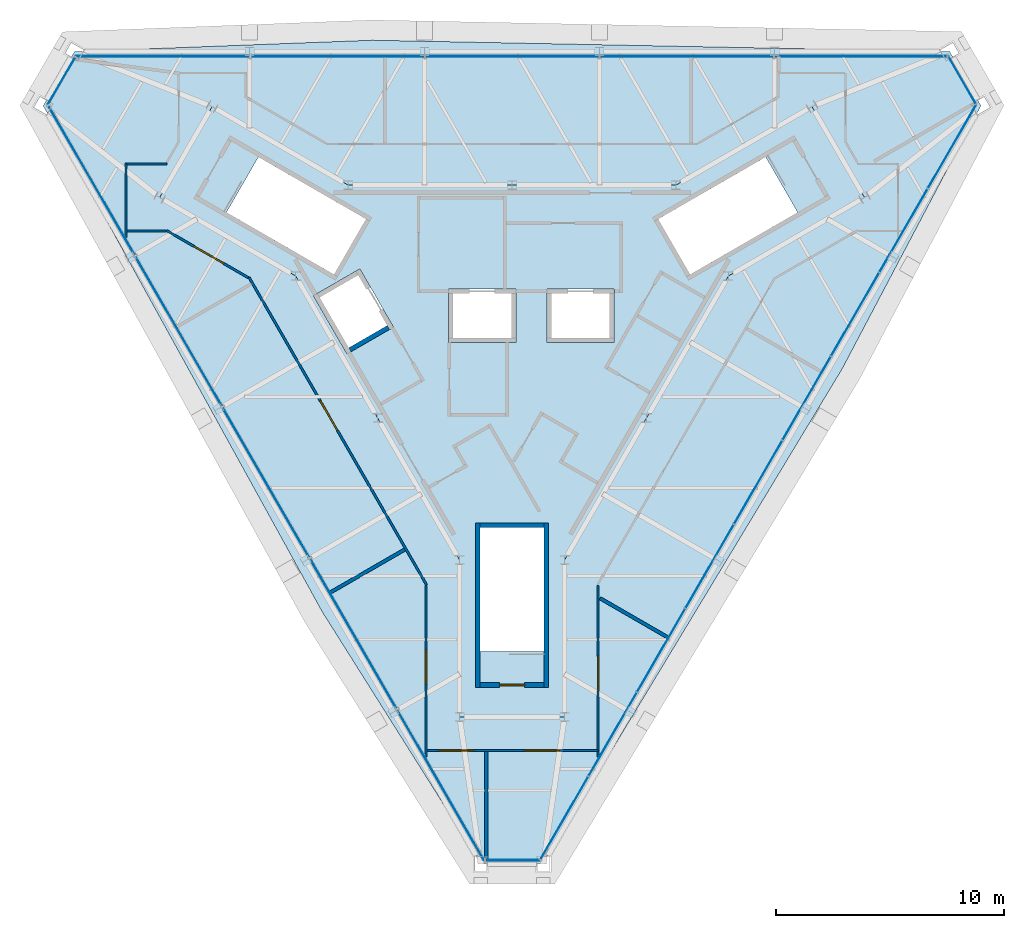
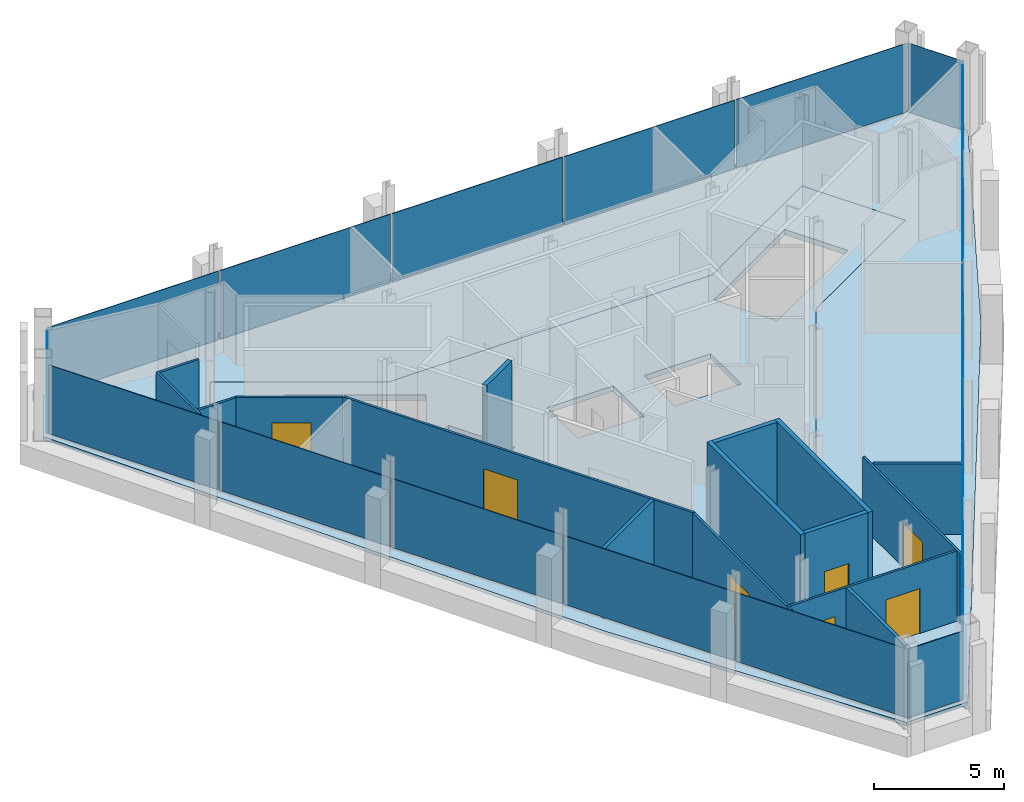
# One storey, part 8 of 11: 22 plates, 16 walls, 7 doors, 2 slabs, 7 openings, 6 elements without a shape of their own.
"""IFC4 building model written with IfcOpenShell, lengths in metres."""

from ifc_helpers import new_model, si_unit, direction, frame, frame_2d, origin, origin_2d, place, context, subcontext, project, spatial, polyline, rectangle, outline, extrude, material, layer, layer_set, type_object, element, fill, aggregate, save


model = new_model("IFC4")

# Units and contexts
model_context = context("Model", 3, precision=1e-05, world=origin(), true_north=direction((0.0, 1.0)))
body_context = subcontext(model_context, "Body", "Model", "MODEL_VIEW")
ifc_project = project(units=[si_unit("LENGTHUNIT", "METRE"), si_unit("AREAUNIT", "SQUARE_METRE"), si_unit("VOLUMEUNIT", "CUBIC_METRE"), si_unit("PLANEANGLEUNIT", "RADIAN"), si_unit("MASSUNIT", "GRAM", prefix="KILO")], contexts=[model_context])

# Site, building, storey
site_placement = place(None, origin())
site = spatial("IfcSite", under=ifc_project, at=site_placement, CompositionType="ELEMENT")
building_placement = place(site_placement, origin())
building = spatial("IfcBuilding", under=site, at=building_placement, Name="Verrane Prism Tower", CompositionType="ELEMENT")
storey_placement = place(building_placement, frame((0.0, 0.0, 329.39990234375)))
storey = spatial("IfcBuildingStorey", under=building, at=storey_placement, Name="L83", CompositionType="ELEMENT", Elevation=329.39990234375)

# Slabs
ifc_material_1 = material(Name="Concrete C35/45", Category="concrete")
ifc_layer_1 = layer(ifc_material_1, 0.159912109375)
ifc_layer_set_1 = layer_set([ifc_layer_1], Name="Composite floor slab")
slab_type_1 = type_object("IfcSlabType", Name="Composite floor slab", PredefinedType="FLOOR", material=ifc_layer_set_1)
slab_1_placement = place(storey_placement, frame((0.0, 0.0, -0.159912109375)))
element("IfcSlab", 1, at=slab_1_placement, inside=storey, type_object=slab_type_1, Name="Floor slab L83", PredefinedType="FLOOR", context=body_context, shape_type="SweptSolid", body=[
    extrude(outline(polyline([(14.455810546875, -1.26171875), (1.368896484375, -22.9287109375), (-1.368896484375, -22.9287109375), (-8.320556640625, -11.88818359375), (-20.54150390625, 10.27880859375), (-19.17236328125, 12.64990234375), (-6.13525390625, 13.14990234375), (19.17236328125, 12.64990234375), (20.54150390625, 10.27880859375), (14.455810546875, -1.26171875)]), holes=[polyline([(15.43994140625, 6.260009765625), (13.139892578125, 10.239990234375), (7.179931640625, 6.800048828125), (0.0, 6.800048828125), (-7.179931640625, 6.800048828125), (-13.139892578125, 10.239990234375), (-15.43994140625, 6.260009765625), (-9.47998046875, 2.820068359375), (-5.889892578125, -3.39990234375), (-2.300048828125, -9.6201171875), (-2.300048828125, -16.5), (2.300048828125, -16.5), (2.300048828125, -9.6201171875), (5.889892578125, -3.39990234375), (9.47998046875, 2.820068359375), (15.43994140625, 6.260009765625)])]), origin(), (0.0, 0.0, 1.0), 0.159912109375),
])
ifc_material_2 = material(Name="Concrete C40/50", Category="concrete")
ifc_layer_2 = layer(ifc_material_2, 0.25)
ifc_layer_set_2 = layer_set([ifc_layer_2], Name="Core floor slab 250 concrete C40/50")
slab_type_2 = type_object("IfcSlabType", Name="Core floor slab 250 concrete C40/50", PredefinedType="FLOOR", material=ifc_layer_set_2)
slab_2_placement = place(storey_placement, frame((0.0, 0.0, -0.25)))
element("IfcSlab", 2, at=slab_2_placement, inside=storey, type_object=slab_type_2, Name="Core floor L83", PredefinedType="FLOOR", context=body_context, shape_type="SweptSolid", body=[
    extrude(outline(polyline([(9.47998046875, 2.820068359375), (15.43994140625, 6.260009765625), (13.139892578125, 10.239990234375), (7.179931640625, 6.800048828125), (0.0, 6.800048828125), (-7.179931640625, 6.800048828125), (-13.139892578125, 10.239990234375), (-15.43994140625, 6.260009765625), (-9.47998046875, 2.820068359375), (-5.889892578125, -3.39990234375), (-2.300048828125, -9.6201171875), (-2.300048828125, -16.5), (2.300048828125, -16.5), (2.300048828125, -9.6201171875), (5.889892578125, -3.39990234375), (9.47998046875, 2.820068359375)]), holes=[polyline([(-1.39990234375, -13.639892578125), (-1.39990234375, -8.199951171875), (1.39990234375, -8.199951171875), (1.39990234375, -13.639892578125), (-1.39990234375, -13.639892578125)]), polyline([(0.1650390625, 2.25), (0.1650390625, -0.10009765625), (-2.784912109375, -0.10009765625), (-2.784912109375, 2.25), (0.1650390625, 2.25)]), polyline([(4.47509765625, 2.25), (4.47509765625, -0.10009765625), (1.52490234375, -0.10009765625), (1.52490234375, 2.25), (4.47509765625, 2.25)]), polyline([(-8.7041015625, 1.955078125), (-6.66796875, 3.1298828125), (-5.193115234375, 0.574951171875), (-7.22900390625, -0.60009765625), (-8.7041015625, 1.955078125)]), polyline([(-6.40087890625, 5.31201171875), (-7.801025390625, 2.887939453125), (-12.512939453125, 5.60791015625), (-11.113037109375, 8.031982421875), (-6.40087890625, 5.31201171875)]), polyline([(7.801025390625, 2.887939453125), (6.40087890625, 5.31201171875), (11.113037109375, 8.031982421875), (12.512939453125, 5.60791015625), (7.801025390625, 2.887939453125)])]), origin(), (0.0, 0.0, 1.0), 0.25),
])

# Curtain wall, plate
ifc_material_3 = material(Name="Aluminium framed insulated glazing", Category="aluminium")
curtain_wall_type_1 = type_object("IfcCurtainWallType", Name="Curtain wall CW-C 4200 module", PredefinedType="NOTDEFINED", material=ifc_material_3)
curtain_wall_1_placement = place(storey_placement, origin())
curtain_wall_1 = element("IfcCurtainWall", 3, at=curtain_wall_1_placement, inside=storey, type_object=curtain_wall_type_1, Name="Glazed curtain wall north-east corner L83", PredefinedType="NOTDEFINED")
ifc_material_4 = material(Name="Low-iron insulating glass unit", Category="glass")
ifc_layer_3 = layer(ifc_material_4, 0.02392578125)
ifc_layer_set_3 = layer_set([ifc_layer_3], Name="Glazing panel IGU 24")
plate_type_1 = type_object("IfcPlateType", Name="Glazing panel IGU 24", PredefinedType="CURTAIN_PANEL", material=ifc_layer_set_3)
plate_1_placement = place(storey_placement, frame((19.712890625, 11.41015625, 0.050048828125), z_axis=(0.0, 0.0, 1.0), x_axis=(-0.500000941634, 0.866024860131, 0.0)))
plate_1 = element("IfcPlate", 4, at=plate_1_placement, type_object=plate_type_1, Name="CW83.1 panel 1", PredefinedType="CURTAIN_PANEL", context=body_context, shape_type="SweptSolid", body=[
    extrude(rectangle(XDim=2.395263671875, YDim=0.02392578125, at=origin_2d()), origin(), (0.0, 0.0, 1.0), 3.24658203125),
])
aggregate(curtain_wall_1, [plate_1])

# Curtain wall, plates
curtain_wall_2_placement = place(storey_placement, origin())
curtain_wall_2 = element("IfcCurtainWall", 5, at=curtain_wall_2_placement, inside=storey, type_object=curtain_wall_type_1, Name="Glazed curtain wall south-east face L83", PredefinedType="NOTDEFINED")
plate_2_placement = place(storey_placement, frame((2.290771484375, -20.9267578125, 0.050048828125), z_axis=(0.0, 0.0, 1.0), x_axis=(0.500000216749, 0.866025278644, 0.0)))
plate_2 = element("IfcPlate", 6, at=plate_2_placement, type_object=plate_type_1, Name="CW83.6 panel 1", PredefinedType="CURTAIN_PANEL", context=body_context, shape_type="SweptSolid", body=[
    extrude(rectangle(XDim=4.172607421875, YDim=0.02392578125, at=origin_2d()), origin(), (0.0, 0.0, 1.0), 3.24658203125),
])
plate_3_placement = place(storey_placement, frame((4.408203125, -17.259033203125, 0.050048828125), z_axis=(0.0, 0.0, 1.0), x_axis=(0.500000216749, 0.866025278644, 0.0)))
plate_3 = element("IfcPlate", 7, at=plate_3_placement, type_object=plate_type_1, Name="CW83.6 panel 2", PredefinedType="CURTAIN_PANEL", context=body_context, shape_type="SweptSolid", body=[
    extrude(rectangle(XDim=4.197509765625, YDim=0.02392578125, at=origin_2d()), origin(), (0.0, 0.0, 1.0), 3.24658203125),
])
plate_4_placement = place(storey_placement, frame((6.531982421875, -13.58056640625, 0.050048828125), z_axis=(0.0, 0.0, 1.0), x_axis=(0.500000216749, 0.866025278644, 0.0)))
plate_4 = element("IfcPlate", 8, at=plate_4_placement, type_object=plate_type_1, Name="CW83.6 panel 3", PredefinedType="CURTAIN_PANEL", context=body_context, shape_type="SweptSolid", body=[
    extrude(rectangle(XDim=4.197509765625, YDim=0.02392578125, at=origin_2d()), origin(), (0.0, 0.0, 1.0), 3.24658203125),
])
plate_5_placement = place(storey_placement, frame((8.65576171875, -9.902099609375, 0.050048828125), z_axis=(0.0, 0.0, 1.0), x_axis=(0.500000216749, 0.866025278644, 0.0)))
plate_5 = element("IfcPlate", 9, at=plate_5_placement, type_object=plate_type_1, Name="CW83.6 panel 4", PredefinedType="CURTAIN_PANEL", context=body_context, shape_type="SweptSolid", body=[
    extrude(rectangle(XDim=4.197509765625, YDim=0.02392578125, at=origin_2d()), origin(), (0.0, 0.0, 1.0), 3.24658203125),
])
plate_6_placement = place(storey_placement, frame((10.779541015625, -6.2236328125, 0.050048828125), z_axis=(0.0, 0.0, 1.0), x_axis=(0.500000216749, 0.866025278644, 0.0)))
plate_6 = element("IfcPlate", 10, at=plate_6_placement, type_object=plate_type_1, Name="CW83.6 panel 5", PredefinedType="CURTAIN_PANEL", context=body_context, shape_type="SweptSolid", body=[
    extrude(rectangle(XDim=4.197509765625, YDim=0.02392578125, at=origin_2d()), origin(), (0.0, 0.0, 1.0), 3.24658203125),
])
plate_7_placement = place(storey_placement, frame((12.9033203125, -2.545166015625, 0.050048828125), z_axis=(0.0, 0.0, 1.0), x_axis=(0.500000216749, 0.866025278644, 0.0)))
plate_7 = element("IfcPlate", 11, at=plate_7_placement, type_object=plate_type_1, Name="CW83.6 panel 6", PredefinedType="CURTAIN_PANEL", context=body_context, shape_type="SweptSolid", body=[
    extrude(rectangle(XDim=4.197509765625, YDim=0.02392578125, at=origin_2d()), origin(), (0.0, 0.0, 1.0), 3.24658203125),
])
plate_8_placement = place(storey_placement, frame((15.027099609375, 1.13330078125, 0.050048828125), z_axis=(0.0, 0.0, 1.0), x_axis=(0.500000216749, 0.866025278644, 0.0)))
plate_8 = element("IfcPlate", 12, at=plate_8_placement, type_object=plate_type_1, Name="CW83.6 panel 7", PredefinedType="CURTAIN_PANEL", context=body_context, shape_type="SweptSolid", body=[
    extrude(rectangle(XDim=4.197509765625, YDim=0.02392578125, at=origin_2d()), origin(), (0.0, 0.0, 1.0), 3.24658203125),
])
plate_9_placement = place(storey_placement, frame((17.15087890625, 4.811767578125, 0.050048828125), z_axis=(0.0, 0.0, 1.0), x_axis=(0.500000216749, 0.866025278644, 0.0)))
plate_9 = element("IfcPlate", 13, at=plate_9_placement, type_object=plate_type_1, Name="CW83.6 panel 8", PredefinedType="CURTAIN_PANEL", context=body_context, shape_type="SweptSolid", body=[
    extrude(rectangle(XDim=4.197509765625, YDim=0.02392578125, at=origin_2d()), origin(), (0.0, 0.0, 1.0), 3.24658203125),
])
plate_10_placement = place(storey_placement, frame((19.281005859375, 8.501220703125, 0.050048828125), z_axis=(0.0, 0.0, 1.0), x_axis=(0.500000216749, 0.866025278644, 0.0)))
plate_10 = element("IfcPlate", 14, at=plate_10_placement, type_object=plate_type_1, Name="CW83.6 panel 9", PredefinedType="CURTAIN_PANEL", context=body_context, shape_type="SweptSolid", body=[
    extrude(rectangle(XDim=4.22265625, YDim=0.02392578125, at=origin_2d()), origin(), (0.0, 0.0, 1.0), 3.24658203125),
])
aggregate(curtain_wall_2, [plate_2, plate_3, plate_4, plate_5, plate_6, plate_7, plate_8, plate_9, plate_10])

# Curtain wall, plate
ifc_material_5 = material(Name="Aluminium framed insulated glazing", Category="aluminium")
curtain_wall_type_2 = type_object("IfcCurtainWallType", Name="Curtain wall CW-B 5600 module", PredefinedType="NOTDEFINED", material=ifc_material_5)
curtain_wall_3_placement = place(storey_placement, origin())
curtain_wall_3 = element("IfcCurtainWall", 15, at=curtain_wall_3_placement, inside=storey, type_object=curtain_wall_type_2, Name="Glazed curtain wall north-west corner L83", PredefinedType="NOTDEFINED")
ifc_material_6 = material(Name="Low-iron insulating glass unit", Category="glass")
ifc_layer_4 = layer(ifc_material_6, 0.028076171875)
ifc_layer_set_4 = layer_set([ifc_layer_4], Name="Glazing panel IGU 28")
plate_type_2 = type_object("IfcPlateType", Name="Glazing panel IGU 28", PredefinedType="CURTAIN_PANEL", material=ifc_layer_set_4)
plate_11_placement = place(storey_placement, frame((-19.740234375, 11.3623046875, 0.06005859375), z_axis=(0.0, 0.0, 1.0), x_axis=(-0.500000941634, -0.866024860131, 0.0)))
plate_11 = element("IfcPlate", 16, at=plate_11_placement, type_object=plate_type_2, Name="CW83.3 panel 1", PredefinedType="CURTAIN_PANEL", context=body_context, shape_type="SweptSolid", body=[
    extrude(rectangle(XDim=2.38525390625, YDim=0.028076171875, at=origin_2d()), origin(), (0.0, 0.0, 1.0), 3.23681640625),
])
aggregate(curtain_wall_3, [plate_11])

# Curtain wall, plates
ifc_material_7 = material(Name="Aluminium framed insulated glazing", Category="aluminium")
curtain_wall_type_3 = type_object("IfcCurtainWallType", Name="Curtain wall CW-A 8400 module", PredefinedType="NOTDEFINED", material=ifc_material_7)
curtain_wall_4_placement = place(storey_placement, origin())
curtain_wall_4 = element("IfcCurtainWall", 17, at=curtain_wall_4_placement, inside=storey, type_object=curtain_wall_type_3, Name="Glazed curtain wall north face L83", PredefinedType="NOTDEFINED")
ifc_material_8 = material(Name="Low-iron insulating glass unit", Category="glass")
ifc_layer_5 = layer(ifc_material_8, 0.031982421875)
ifc_layer_set_5 = layer_set([ifc_layer_5], Name="Glazing panel IGU 32")
plate_type_3 = type_object("IfcPlateType", Name="Glazing panel IGU 32", PredefinedType="CURTAIN_PANEL", material=ifc_layer_set_5)
plate_12_placement = place(storey_placement, frame((15.273681640625, 12.447265625, 0.06982421875), z_axis=(0.0, 0.0, 1.0), x_axis=(-1.0, 0.0, 0.0)))
plate_12 = element("IfcPlate", 18, at=plate_12_placement, type_object=plate_type_3, Name="CW83.2 panel 1", PredefinedType="CURTAIN_PANEL", context=body_context, shape_type="SweptSolid", body=[
    extrude(rectangle(XDim=7.54052734375, YDim=0.031982421875, at=origin_2d()), origin(), (0.0, 0.0, 1.0), 3.226806640625),
])
plate_13_placement = place(storey_placement, frame((7.6455078125, 12.447265625, 0.06982421875), z_axis=(0.0, 0.0, 1.0), x_axis=(-1.0, 0.0, 0.0)))
plate_13 = element("IfcPlate", 19, at=plate_13_placement, type_object=plate_type_3, Name="CW83.2 panel 2", PredefinedType="CURTAIN_PANEL", context=body_context, shape_type="SweptSolid", body=[
    extrude(rectangle(XDim=7.57568359375, YDim=0.031982421875, at=origin_2d()), origin(), (0.0, 0.0, 1.0), 3.226806640625),
])
plate_14_placement = place(storey_placement, frame((0.0, 12.447265625, 0.06982421875), z_axis=(0.0, 0.0, 1.0), x_axis=(-1.0, 0.0, 0.0)))
plate_14 = element("IfcPlate", 20, at=plate_14_placement, type_object=plate_type_3, Name="CW83.2 panel 3", PredefinedType="CURTAIN_PANEL", context=body_context, shape_type="SweptSolid", body=[
    extrude(rectangle(XDim=7.57568359375, YDim=0.031982421875, at=origin_2d()), origin(), (0.0, 0.0, 1.0), 3.226806640625),
])
plate_15_placement = place(storey_placement, frame((-7.6455078125, 12.447265625, 0.06982421875), z_axis=(0.0, 0.0, 1.0), x_axis=(-1.0, 0.0, 0.0)))
plate_15 = element("IfcPlate", 21, at=plate_15_placement, type_object=plate_type_3, Name="CW83.2 panel 4", PredefinedType="CURTAIN_PANEL", context=body_context, shape_type="SweptSolid", body=[
    extrude(rectangle(XDim=7.57568359375, YDim=0.031982421875, at=origin_2d()), origin(), (0.0, 0.0, 1.0), 3.226806640625),
])
plate_16_placement = place(storey_placement, frame((-15.30859375, 12.447265625, 0.06982421875), z_axis=(0.0, 0.0, 1.0), x_axis=(-1.0, 0.0, 0.0)))
plate_16 = element("IfcPlate", 22, at=plate_16_placement, type_object=plate_type_3, Name="CW83.2 panel 5", PredefinedType="CURTAIN_PANEL", context=body_context, shape_type="SweptSolid", body=[
    extrude(rectangle(XDim=7.610595703125, YDim=0.031982421875, at=origin_2d()), origin(), (0.0, 0.0, 1.0), 3.226806640625),
])
aggregate(curtain_wall_4, [plate_12, plate_13, plate_14, plate_15, plate_16])

curtain_wall_5_placement = place(storey_placement, origin())
curtain_wall_5 = element("IfcCurtainWall", 23, at=curtain_wall_5_placement, inside=storey, type_object=curtain_wall_type_3, Name="Glazed curtain wall south-west face L83", PredefinedType="NOTDEFINED")
plate_17_placement = place(storey_placement, frame((-18.41650390625, 7.00390625, 0.06982421875), z_axis=(0.0, 0.0, 1.0), x_axis=(0.500000216749, -0.866025278644, 0.0)))
plate_17 = element("IfcPlate", 24, at=plate_17_placement, type_object=plate_type_3, Name="CW83.4 panel 1", PredefinedType="CURTAIN_PANEL", context=body_context, shape_type="SweptSolid", body=[
    extrude(rectangle(XDim=7.54052734375, YDim=0.031982421875, at=origin_2d()), origin(), (0.0, 0.0, 1.0), 3.226806640625),
])
plate_18_placement = place(storey_placement, frame((-14.602294921875, 0.397705078125, 0.06982421875), z_axis=(0.0, 0.0, 1.0), x_axis=(0.500000216749, -0.866025278644, 0.0)))
plate_18 = element("IfcPlate", 25, at=plate_18_placement, type_object=plate_type_3, Name="CW83.4 panel 2", PredefinedType="CURTAIN_PANEL", context=body_context, shape_type="SweptSolid", body=[
    extrude(rectangle(XDim=7.57568359375, YDim=0.031982421875, at=origin_2d()), origin(), (0.0, 0.0, 1.0), 3.226806640625),
])
plate_19_placement = place(storey_placement, frame((-10.779541015625, -6.2236328125, 0.06982421875), z_axis=(0.0, 0.0, 1.0), x_axis=(0.500000216749, -0.866025278644, 0.0)))
plate_19 = element("IfcPlate", 26, at=plate_19_placement, type_object=plate_type_3, Name="CW83.4 panel 3", PredefinedType="CURTAIN_PANEL", context=body_context, shape_type="SweptSolid", body=[
    extrude(rectangle(XDim=7.57568359375, YDim=0.031982421875, at=origin_2d()), origin(), (0.0, 0.0, 1.0), 3.226806640625),
])
plate_20_placement = place(storey_placement, frame((-6.956787109375, -12.844970703125, 0.06982421875), z_axis=(0.0, 0.0, 1.0), x_axis=(0.500000216749, -0.866025278644, 0.0)))
plate_20 = element("IfcPlate", 27, at=plate_20_placement, type_object=plate_type_3, Name="CW83.4 panel 4", PredefinedType="CURTAIN_PANEL", context=body_context, shape_type="SweptSolid", body=[
    extrude(rectangle(XDim=7.57568359375, YDim=0.031982421875, at=origin_2d()), origin(), (0.0, 0.0, 1.0), 3.226806640625),
])
plate_21_placement = place(storey_placement, frame((-3.125244140625, -19.481201171875, 0.06982421875), z_axis=(0.0, 0.0, 1.0), x_axis=(0.500000216749, -0.866025278644, 0.0)))
plate_21 = element("IfcPlate", 28, at=plate_21_placement, type_object=plate_type_3, Name="CW83.4 panel 5", PredefinedType="CURTAIN_PANEL", context=body_context, shape_type="SweptSolid", body=[
    extrude(rectangle(XDim=7.610595703125, YDim=0.031982421875, at=origin_2d()), origin(), (0.0, 0.0, 1.0), 3.226806640625),
])
aggregate(curtain_wall_5, [plate_17, plate_18, plate_19, plate_20, plate_21])

# Curtain wall, plate
curtain_wall_6_placement = place(storey_placement, origin())
curtain_wall_6 = element("IfcCurtainWall", 29, at=curtain_wall_6_placement, inside=storey, type_object=curtain_wall_type_3, Name="Glazed curtain wall south corner L83", PredefinedType="NOTDEFINED")
plate_22_placement = place(storey_placement, frame((0.034912109375, -22.77685546875, 0.06982421875), z_axis=(0.0, 0.0, 1.0), x_axis=(1.0, 0.0, 0.0)))
plate_22 = element("IfcPlate", 30, at=plate_22_placement, type_object=plate_type_3, Name="CW83.5 panel 1", PredefinedType="CURTAIN_PANEL", context=body_context, shape_type="SweptSolid", body=[
    extrude(rectangle(XDim=2.375244140625, YDim=0.031982421875, at=origin_2d()), origin(), (0.0, 0.0, 1.0), 3.226806640625),
])
aggregate(curtain_wall_6, [plate_22])

# Wall, opening, door
ifc_material_9 = material(Name="Concrete C40/50", Category="concrete")
ifc_layer_6 = layer(ifc_material_9, 0.199951171875)
ifc_layer_set_6 = layer_set([ifc_layer_6], Name="CW-200 stair core wall concrete C40/50 3 h")
wall_type_1 = type_object("IfcWallType", Name="CW-200 stair core wall concrete C40/50 3 h", PredefinedType="PARTITIONING", material=ifc_layer_set_6)
wall_1_placement = place(storey_placement, frame((-1.39990234375, -15.10009765625, 0.0), z_axis=(0.0, 0.0, 1.0), x_axis=(1.0, 0.0, 0.0)))
wall_1 = element("IfcWall", 31, at=wall_1_placement, inside=storey, type_object=wall_type_1, Name="Stair 3 enclosure wall", PredefinedType="PARTITIONING", context=body_context, shape_type="SweptSolid", body=[
    extrude(rectangle(XDim=2.7998046875, YDim=0.199951171875, at=frame_2d((1.39990234375, 0.0))), origin(), (0.0, 0.0, 1.0), 4.2001953125),
])
opening_1_placement = place(wall_1_placement, frame((0.85009765625, 0.0, 0.0)))
opening_1 = element("IfcOpeningElement", 32, at=opening_1_placement, cuts=wall_1, Name="Opening D83502", PredefinedType="OPENING", context=body_context, shape_type="SweptSolid", body=[
    extrude(rectangle(XDim=1.10009765625, YDim=2.10009765625, at=frame_2d((0.550048828125, 1.050048828125))), frame((0.0, 0.10986328125, 0.0), z_axis=(0.0, -1.0, 0.0), x_axis=(1.0, 0.0, 0.0)), (0.0, 0.0, 1.0), 0.219970703125),
])
ifc_material_10 = material(Name="Timber veneered door leaf", Category="wood")
door_type_1 = type_object("IfcDoorType", Name="DR-1100x2100 FD90 single leaf stair", OperationType="NOTDEFINED", PredefinedType="DOOR", material=ifc_material_10)
door_1_placement = place(opening_1_placement, origin())
door_1 = element("IfcDoor", 33, at=door_1_placement, inside=storey, type_object=door_type_1, Name="Stair 3 door", OperationType="SINGLE_SWING_LEFT", OverallHeight=2.10009765625, OverallWidth=1.10009765625, PredefinedType="DOOR", context=body_context, shape_type="SweptSolid", body=[
    extrude(rectangle(XDim=1.10009765625, YDim=2.10009765625, at=frame_2d((0.550048828125, 1.050048828125))), frame((0.0, 0.02490234375, 0.0), z_axis=(0.0, -1.0, 0.0), x_axis=(1.0, 0.0, 0.0)), (0.0, 0.0, 1.0), 0.050048828125),
])
fill(opening_1, door_1)

# Walls
for number, where, z_axis, x_axis, name in (
    (34, (1.5, -8.0, 0.0), (0.0, 0.0, 1.0), (0.0, -1.0, 0.0), "Stair 3 enclosure wall"),
    (35, (-1.5, -8.0, 0.0), (0.0, 0.0, 1.0), (0.0, -1.0, 0.0), "Stair 3 enclosure wall"),
):
    element("IfcWall", number, at=place(storey_placement, frame(where, z_axis=z_axis, x_axis=x_axis)), inside=storey, type_object=wall_type_1, Name=name, PredefinedType="PARTITIONING", context=body_context, shape_type="SweptSolid", body=[
        extrude(rectangle(XDim=7.199951171875, YDim=0.199951171875, at=frame_2d((3.60009765625, 0.0))), origin(), (0.0, 0.0, 1.0), 4.2001953125),
    ])
wall_2_placement = place(storey_placement, frame((-1.39990234375, -8.10009765625, 0.0), z_axis=(0.0, 0.0, 1.0), x_axis=(1.0, 0.0, 0.0)))
element("IfcWall", 36, at=wall_2_placement, inside=storey, type_object=wall_type_1, Name="Stair 3 enclosure wall", PredefinedType="PARTITIONING", context=body_context, shape_type="SweptSolid", body=[
    extrude(rectangle(XDim=2.7998046875, YDim=0.199951171875, at=frame_2d((1.39990234375, 0.0))), origin(), (0.0, 0.0, 1.0), 4.2001953125),
])
ifc_material_11 = material(Name="Gypsum board shaft wall assembly", Category="other")
ifc_layer_7 = layer(ifc_material_11, 0.199951171875)
ifc_layer_set_7 = layer_set([ifc_layer_7], Name="HW-200 lift shaft wall 2 h")
wall_type_2 = type_object("IfcWallType", Name="HW-200 lift shaft wall 2 h", PredefinedType="PARTITIONING", material=ifc_layer_set_7)
wall_3_placement = place(storey_placement, frame((-7.10546875, -0.4130859375, 0.0), z_axis=(0.0, 0.0, 1.0), x_axis=(0.866000020948, 0.500043961785, 0.0)))
element("IfcWall", 37, at=wall_3_placement, inside=storey, type_object=wall_type_2, Name="Lift shaft wall", PredefinedType="PARTITIONING", context=body_context, shape_type="SweptSolid", body=[
    extrude(rectangle(XDim=1.949951171875, YDim=0.199951171875, at=frame_2d((0.97509765625, 0.0))), origin(), (0.0, 0.0, 1.0), 4.2001953125),
])
ifc_material_12 = material(Name="Gypsum board partition", Category="other")
ifc_layer_8 = layer(ifc_material_12, 0.10009765625)
ifc_layer_set_8 = layer_set([ifc_layer_8], Name="PW-100 crown corridor wall 1 h")
wall_type_3 = type_object("IfcWallType", Name="PW-100 crown corridor wall 1 h", PredefinedType="PARTITIONING", material=ifc_layer_set_8)
wall_4_placement = place(storey_placement, frame((-16.908935546875, 4.506591796875, 0.0), z_axis=(0.0, 0.0, 1.0), x_axis=(0.0, 1.0, 0.0)))
element("IfcWall", 38, at=wall_4_placement, inside=storey, type_object=wall_type_3, Name="Corridor wall 002", PredefinedType="PARTITIONING", context=body_context, shape_type="SweptSolid", body=[
    extrude(rectangle(XDim=3.2724609375, YDim=0.10009765625, at=frame_2d((1.63623046875, 0.0))), origin(), (0.0, 0.0, 1.0), 3.297119140625),
])
wall_5_placement = place(storey_placement, frame((-16.85888671875, 7.72900390625, 0.0), z_axis=(0.0, 0.0, 1.0), x_axis=(1.0, 0.0, 0.0)))
element("IfcWall", 39, at=wall_5_placement, inside=storey, type_object=wall_type_3, Name="Corridor wall 003", PredefinedType="PARTITIONING", context=body_context, shape_type="SweptSolid", body=[
    extrude(rectangle(XDim=1.741943359375, YDim=0.10009765625, at=frame_2d((0.87109375, 0.0))), origin(), (0.0, 0.0, 1.0), 3.297119140625),
])
wall_6_placement = place(storey_placement, frame((-16.85888671875, 4.791015625, 0.0), z_axis=(0.0, 0.0, 1.0), x_axis=(1.0, 0.0, 0.0)))
element("IfcWall", 40, at=wall_6_placement, inside=storey, type_object=wall_type_3, Name="Corridor wall 004", PredefinedType="PARTITIONING", context=body_context, shape_type="SweptSolid", body=[
    extrude(rectangle(XDim=1.69091796875, YDim=0.10009765625, at=frame_2d((0.845458984375, 0.0))), origin(), (0.0, 0.0, 1.0), 3.297119140625),
])

# Wall, opening, door
wall_7_placement = place(storey_placement, frame((-11.556640625, 2.74609375, 0.0), z_axis=(0.0, 0.0, 1.0), x_axis=(-0.866005840187, 0.500033883614, 0.0)))
wall_7 = element("IfcWall", 41, at=wall_7_placement, inside=storey, type_object=wall_type_3, Name="Corridor wall 006", PredefinedType="PARTITIONING", context=body_context, shape_type="SweptSolid", body=[
    extrude(rectangle(XDim=4.139404296875, YDim=0.10009765625, at=frame_2d((2.06982421875, 0.0))), origin(), (0.0, 0.0, 1.0), 3.297119140625),
])
opening_2_placement = place(wall_7_placement, frame((1.239501953125, 0.0, 0.0)))
opening_2 = element("IfcOpeningElement", 42, at=opening_2_placement, cuts=wall_7, Name="Opening D83011", PredefinedType="OPENING", context=body_context, shape_type="SweptSolid", body=[
    extrude(rectangle(XDim=1.5, YDim=2.10009765625, at=frame_2d((0.75, 1.050048828125))), frame((0.0, 0.06005859375, 0.0), z_axis=(0.0, -1.0, 0.0), x_axis=(1.0, 0.0, 0.0)), (0.0, 0.0, 1.0), 0.1201171875),
])
ifc_material_13 = material(Name="Timber veneered door leaf", Category="wood")
door_type_2 = type_object("IfcDoorType", Name="DR-1500x2100 FD60 double leaf unit", OperationType="NOTDEFINED", PredefinedType="DOOR", material=ifc_material_13)
door_2_placement = place(opening_2_placement, origin())
door_2 = element("IfcDoor", 43, at=door_2_placement, inside=storey, type_object=door_type_2, Name="Refuge Area door", OperationType="DOUBLE_DOOR_SINGLE_SWING", OverallHeight=2.10009765625, OverallWidth=1.5, PredefinedType="DOOR", context=body_context, shape_type="SweptSolid", body=[
    extrude(rectangle(XDim=1.5, YDim=2.10009765625, at=frame_2d((0.75, 1.050048828125))), frame((0.0, 0.02490234375, 0.0), z_axis=(0.0, -1.0, 0.0), x_axis=(1.0, 0.0, 0.0)), (0.0, 0.0, 1.0), 0.050048828125),
])
fill(opening_2, door_2)

wall_8_placement = place(storey_placement, frame((-3.743896484375, -10.71435546875, 0.0), z_axis=(0.0, 0.0, 1.0), x_axis=(-0.500044034969, 0.86599997869, 0.0)))
wall_8 = element("IfcWall", 44, at=wall_8_placement, inside=storey, type_object=wall_type_3, Name="Corridor wall 012", PredefinedType="PARTITIONING", context=body_context, shape_type="SweptSolid", body=[
    extrude(rectangle(XDim=15.552734375, YDim=0.10009765625, at=frame_2d((7.7763671875, 0.0))), origin(), (0.0, 0.0, 1.0), 3.297119140625),
])
opening_3_placement = place(wall_8_placement, frame((7.813720703125, 0.0, 0.0)))
opening_3 = element("IfcOpeningElement", 45, at=opening_3_placement, cuts=wall_8, Name="Opening D83005", PredefinedType="OPENING", context=body_context, shape_type="SweptSolid", body=[
    extrude(rectangle(XDim=1.5, YDim=2.10009765625, at=frame_2d((0.75, 1.050048828125))), frame((0.0, 0.06005859375, 0.0), z_axis=(0.0, -1.0, 0.0), x_axis=(1.0, 0.0, 0.0)), (0.0, 0.0, 1.0), 0.1201171875),
])
door_3_placement = place(opening_3_placement, origin())
door_3 = element("IfcDoor", 46, at=door_3_placement, inside=storey, type_object=door_type_2, Name="Refuge Area door", OperationType="DOUBLE_DOOR_SINGLE_SWING", OverallHeight=2.10009765625, OverallWidth=1.5, PredefinedType="DOOR", context=body_context, shape_type="SweptSolid", body=[
    extrude(rectangle(XDim=1.5, YDim=2.10009765625, at=frame_2d((0.75, 1.050048828125))), frame((0.0, 0.02490234375, 0.0), z_axis=(0.0, -1.0, 0.0), x_axis=(1.0, 0.0, 0.0)), (0.0, 0.0, 1.0), 0.050048828125),
])
fill(opening_3, door_3)

wall_9_placement = place(storey_placement, frame((-3.76904296875, -18.25341796875, 0.0), z_axis=(0.0, 0.0, 1.0), x_axis=(0.0, 1.0, 0.0)))
wall_9 = element("IfcWall", 47, at=wall_9_placement, inside=storey, type_object=wall_type_3, Name="Corridor wall 016", PredefinedType="PARTITIONING", context=body_context, shape_type="SweptSolid", body=[
    extrude(rectangle(XDim=7.512451171875, YDim=0.10009765625, at=frame_2d((3.75634765625, 0.0))), origin(), (0.0, 0.0, 1.0), 3.297119140625),
])
opening_4_placement = place(wall_9_placement, frame((3.184326171875, 0.0, 0.0)))
opening_4 = element("IfcOpeningElement", 48, at=opening_4_placement, cuts=wall_9, Name="Opening D83006", PredefinedType="OPENING", context=body_context, shape_type="SweptSolid", body=[
    extrude(rectangle(XDim=1.5, YDim=2.10009765625, at=frame_2d((0.75, 1.050048828125))), frame((0.0, 0.06005859375, 0.0), z_axis=(0.0, -1.0, 0.0), x_axis=(1.0, 0.0, 0.0)), (0.0, 0.0, 1.0), 0.1201171875),
])
door_4_placement = place(opening_4_placement, origin())
door_4 = element("IfcDoor", 49, at=door_4_placement, inside=storey, type_object=door_type_2, Name="Refuge Area door", OperationType="DOUBLE_DOOR_SINGLE_SWING", OverallHeight=2.10009765625, OverallWidth=1.5, PredefinedType="DOOR", context=body_context, shape_type="SweptSolid", body=[
    extrude(rectangle(XDim=1.5, YDim=2.10009765625, at=frame_2d((0.75, 1.050048828125))), frame((0.0, 0.02490234375, 0.0), z_axis=(0.0, -1.0, 0.0), x_axis=(1.0, 0.0, 0.0)), (0.0, 0.0, 1.0), 0.050048828125),
])
fill(opening_4, door_4)

# Wall, openings, doors
wall_10_placement = place(storey_placement, frame((3.76904296875, -17.968994140625, 0.0), z_axis=(0.0, 0.0, 1.0), x_axis=(-1.0, 0.0, 0.0)))
wall_10 = element("IfcWall", 50, at=wall_10_placement, inside=storey, type_object=wall_type_3, Name="Corridor wall 017", PredefinedType="PARTITIONING", context=body_context, shape_type="SweptSolid", body=[
    extrude(rectangle(XDim=7.588134765625, YDim=0.10009765625, at=frame_2d((3.7939453125, 0.0))), origin(), (0.0, 0.0, 1.0), 3.297119140625),
])
opening_5_placement = place(wall_10_placement, frame((1.705078125, 0.0, 0.0)))
opening_5 = element("IfcOpeningElement", 51, at=opening_5_placement, cuts=wall_10, Name="Opening D83007", PredefinedType="OPENING", context=body_context, shape_type="SweptSolid", body=[
    extrude(rectangle(XDim=1.5, YDim=2.10009765625, at=frame_2d((0.75, 1.050048828125))), frame((0.0, 0.06005859375, 0.0), z_axis=(0.0, -1.0, 0.0), x_axis=(1.0, 0.0, 0.0)), (0.0, 0.0, 1.0), 0.1201171875),
])
opening_6_placement = place(wall_10_placement, frame((5.468017578125, 0.0, 0.0)))
opening_6 = element("IfcOpeningElement", 52, at=opening_6_placement, cuts=wall_10, Name="Opening D83012", PredefinedType="OPENING", context=body_context, shape_type="SweptSolid", body=[
    extrude(rectangle(XDim=1.5, YDim=2.10009765625, at=frame_2d((0.75, 1.050048828125))), frame((0.0, 0.06005859375, 0.0), z_axis=(0.0, -1.0, 0.0), x_axis=(1.0, 0.0, 0.0)), (0.0, 0.0, 1.0), 0.1201171875),
])
door_5_placement = place(opening_5_placement, origin())
door_5 = element("IfcDoor", 53, at=door_5_placement, inside=storey, type_object=door_type_2, Name="Mechanical Plant Room door", OperationType="DOUBLE_DOOR_SINGLE_SWING", OverallHeight=2.10009765625, OverallWidth=1.5, PredefinedType="DOOR", context=body_context, shape_type="SweptSolid", body=[
    extrude(rectangle(XDim=1.5, YDim=2.10009765625, at=frame_2d((0.75, 1.050048828125))), frame((0.0, 0.02490234375, 0.0), z_axis=(0.0, -1.0, 0.0), x_axis=(1.0, 0.0, 0.0)), (0.0, 0.0, 1.0), 0.050048828125),
])
fill(opening_5, door_5)
door_6_placement = place(opening_6_placement, origin())
door_6 = element("IfcDoor", 54, at=door_6_placement, inside=storey, type_object=door_type_2, Name="Refuge Area door", OperationType="DOUBLE_DOOR_SINGLE_SWING", OverallHeight=2.10009765625, OverallWidth=1.5, PredefinedType="DOOR", context=body_context, shape_type="SweptSolid", body=[
    extrude(rectangle(XDim=1.5, YDim=2.10009765625, at=frame_2d((0.75, 1.050048828125))), frame((0.0, 0.02490234375, 0.0), z_axis=(0.0, -1.0, 0.0), x_axis=(1.0, 0.0, 0.0)), (0.0, 0.0, 1.0), 0.050048828125),
])
fill(opening_6, door_6)

# Wall, opening, door
wall_11_placement = place(storey_placement, frame((3.76904296875, -10.740966796875, 0.0), z_axis=(0.0, 0.0, 1.0), x_axis=(0.0, -1.0, 0.0)))
wall_11 = element("IfcWall", 55, at=wall_11_placement, inside=storey, type_object=wall_type_3, Name="Corridor wall 019", PredefinedType="PARTITIONING", context=body_context, shape_type="SweptSolid", body=[
    extrude(rectangle(XDim=7.512451171875, YDim=0.10009765625, at=frame_2d((3.75634765625, 0.0))), origin(), (0.0, 0.0, 1.0), 3.297119140625),
])
opening_7_placement = place(wall_11_placement, frame((3.10791015625, 0.0, 0.0)))
opening_7 = element("IfcOpeningElement", 56, at=opening_7_placement, cuts=wall_11, Name="Opening D83013", PredefinedType="OPENING", context=body_context, shape_type="SweptSolid", body=[
    extrude(rectangle(XDim=1.5, YDim=2.10009765625, at=frame_2d((0.75, 1.050048828125))), frame((0.0, 0.06005859375, 0.0), z_axis=(0.0, -1.0, 0.0), x_axis=(1.0, 0.0, 0.0)), (0.0, 0.0, 1.0), 0.1201171875),
])
door_7_placement = place(opening_7_placement, origin())
door_7 = element("IfcDoor", 57, at=door_7_placement, inside=storey, type_object=door_type_2, Name="Mechanical Plant Room door", OperationType="DOUBLE_DOOR_SINGLE_SWING", OverallHeight=2.10009765625, OverallWidth=1.5, PredefinedType="DOOR", context=body_context, shape_type="SweptSolid", body=[
    extrude(rectangle(XDim=1.5, YDim=2.10009765625, at=frame_2d((0.75, 1.050048828125))), frame((0.0, 0.02490234375, 0.0), z_axis=(0.0, -1.0, 0.0), x_axis=(1.0, 0.0, 0.0)), (0.0, 0.0, 1.0), 0.050048828125),
])
fill(opening_7, door_7)

# Walls
ifc_material_14 = material(Name="Gypsum board partition", Category="other")
ifc_layer_9 = layer(ifc_material_14, 0.14990234375)
ifc_layer_set_9 = layer_set([ifc_layer_9], Name="PW-150 demising wall 1 h")
wall_type_4 = type_object("IfcWallType", Name="PW-150 demising wall 1 h", PredefinedType="PARTITIONING", material=ifc_layer_set_9)
wall_12_placement = place(storey_placement, frame((-7.974609375, -11.053955078125, 0.0), z_axis=(0.0, 0.0, 1.0), x_axis=(0.865998594852, 0.500046431558, 0.0)))
element("IfcWall", 58, at=wall_12_placement, inside=storey, type_object=wall_type_4, Name="Demising wall 014", PredefinedType="PARTITIONING", context=body_context, shape_type="SweptSolid", body=[
    extrude(rectangle(XDim=3.783447265625, YDim=0.14990234375, at=frame_2d((1.8916015625, 0.0))), origin(), (0.0, 0.0, 1.0), 3.297119140625),
])
wall_13_placement = place(storey_placement, frame((-1.135986328125, -22.763916015625, 0.0), z_axis=(0.0, 0.0, 1.0), x_axis=(0.0, 1.0, 0.0)))
element("IfcWall", 59, at=wall_13_placement, inside=storey, type_object=wall_type_4, Name="Demising wall 018", PredefinedType="PARTITIONING", context=body_context, shape_type="SweptSolid", body=[
    extrude(rectangle(XDim=4.744873046875, YDim=0.14990234375, at=frame_2d((2.37255859375, 0.0))), origin(), (0.0, 0.0, 1.0), 3.297119140625),
])
wall_14_placement = place(storey_placement, frame((3.8564453125, -11.299560546875, 0.0), z_axis=(0.0, 0.0, 1.0), x_axis=(0.866084061191, -0.499898388626, 0.0)))
element("IfcWall", 60, at=wall_14_placement, inside=storey, type_object=wall_type_4, Name="Demising wall 020", PredefinedType="PARTITIONING", context=body_context, shape_type="SweptSolid", body=[
    extrude(rectangle(XDim=3.443603515625, YDim=0.14990234375, at=frame_2d((1.7216796875, 0.0))), origin(), (0.0, 0.0, 1.0), 3.297119140625),
])

save(model, "model.ifc")
